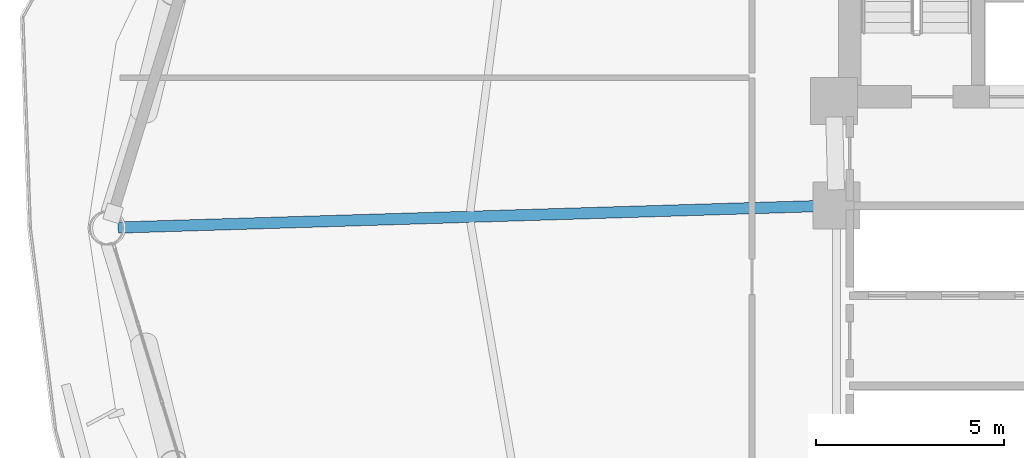
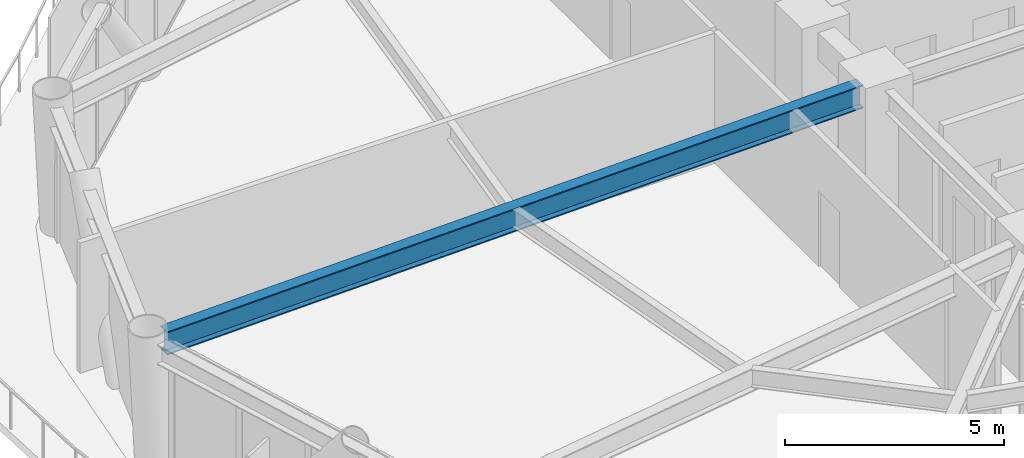
# One storey, part 10 of 23: 1 beam.
"""IFC4 building model written with IfcOpenShell, lengths in metres."""

import ifcopenshell
import ifcopenshell.guid

model = None  # the IFC model being written
_history = None  # IfcOwnerHistory: only IFC2X3 demands one
_inside = {}  # id of a spatial element -> (the spatial element, [elements in it])
_under = {}  # id of a project, library or spatial element -> (it, [spatial elements below it])
_declared = {}  # id of a project -> (the project, [libraries it declares])
_typed = {}  # id of a type object -> (the type object, [elements of that type])
_made_of = {}  # id of a material, layer set ... -> (it, [elements and type objects made of it])


def new_model(schema):
    """Start an empty IFC model of exactly this schema.

    Asked for "IFC4X3", IfcOpenShell would pick the latest addendum, in which some entities
    have other attributes; the version numbers below select the first issue.
    IFC2X3 requires an IfcOwnerHistory on every rooted entity: one is made here for all.
    """
    global model, _history
    if schema == "IFC4X3":
        model = ifcopenshell.file(schema_version=(4, 3, 0, 0))
    else:
        model = ifcopenshell.file(schema=schema)
    _inside.clear()
    _under.clear()
    _declared.clear()
    _typed.clear()
    _made_of.clear()
    _history = None
    if model.schema == "IFC2X3":
        org = make("IfcOrganization", Name="unknown")
        user = make(
            "IfcPersonAndOrganization",
            ThePerson=make("IfcPerson", FamilyName="unknown"),
            TheOrganization=org,
        )
        app = make(
            "IfcApplication",
            ApplicationDeveloper=org,
            Version="unknown",
            ApplicationFullName="unknown",
            ApplicationIdentifier="unknown",
        )
        _history = make(
            "IfcOwnerHistory",
            OwningUser=user,
            OwningApplication=app,
            ChangeAction="ADDED",
            CreationDate=0,
        )
    return model


def make(cls, **values):
    """One entity of the class cls with the attributes given. An attribute that is None is left unset."""
    return model.create_entity(
        cls, **{name: value for name, value in values.items() if value is not None}
    )


def rooted(cls, **values):
    """An entity with a GlobalId (a new one), such as an element, a storey or a relation."""
    return make(cls, GlobalId=ifcopenshell.guid.new(), OwnerHistory=_history, **values)


def si_unit(unit_type, name, prefix=None):
    """IfcSIUnit, for example si_unit("LENGTHUNIT", "METRE", prefix="MILLI")."""
    return make("IfcSIUnit", UnitType=unit_type, Prefix=prefix, Name=name)


def assignment(units):
    """IfcUnitAssignment: the units of a project."""
    return None if units is None else make("IfcUnitAssignment", Units=units)


def point(xyz):
    """IfcCartesianPoint."""
    return None if xyz is None else make("IfcCartesianPoint", Coordinates=xyz)


def direction(xyz):
    """IfcDirection."""
    return None if xyz is None else make("IfcDirection", DirectionRatios=xyz)


def frame(location, z_axis=None, x_axis=None):
    """IfcAxis2Placement3D, a coordinate frame: its origin and axes. An axis left out is left unset."""
    return make(
        "IfcAxis2Placement3D",
        Location=point(location),
        Axis=direction(z_axis),
        RefDirection=direction(x_axis),
    )


def frame_2d(location, x_axis=None):
    """IfcAxis2Placement2D, a coordinate frame in the plane: its origin and x axis."""
    return make(
        "IfcAxis2Placement2D", Location=point(location), RefDirection=direction(x_axis)
    )


def origin():
    """The frame at (0, 0, 0) with its axes left unset."""
    return frame((0.0, 0.0, 0.0))


def origin_2d():
    """The frame at (0, 0) in the plane with its x axis left unset."""
    return frame_2d((0.0, 0.0))


def place(relative_to, where):
    """IfcLocalPlacement: puts the frame where relative to a parent placement (None: the world)."""
    return make(
        "IfcLocalPlacement", PlacementRelTo=relative_to, RelativePlacement=where
    )


def context(
    kind, dimensions, precision=None, world=None, true_north=None, identifier=None
):
    """IfcGeometricRepresentationContext, for example the 3D "Model" context."""
    return make(
        "IfcGeometricRepresentationContext",
        ContextIdentifier=identifier,
        ContextType=kind,
        CoordinateSpaceDimension=dimensions,
        Precision=precision,
        WorldCoordinateSystem=world,
        TrueNorth=true_north,
    )


def subcontext(parent, identifier, kind, view, scale=None):
    """IfcGeometricRepresentationSubContext, for example "Body" below "Model"."""
    return make(
        "IfcGeometricRepresentationSubContext",
        ContextIdentifier=identifier,
        ContextType=kind,
        ParentContext=parent,
        TargetScale=scale,
        TargetView=view,
    )


def project(units=None, contexts=None):
    """IfcProject with its units and contexts."""
    return rooted(
        "IfcProject",
        Name="project",
        RepresentationContexts=contexts,
        UnitsInContext=assignment(units),
    )


def spatial(cls, under=None, at=None, **own):
    """A site, building, storey or space (cls), placed at a placement, below another one or the project."""
    s = rooted(cls, ObjectPlacement=at, **own)
    if under is not None:
        _under.setdefault(under.id(), (under, []))[1].append(s)
    return s


def profile(cls, at=None, kind="AREA", **sizes):
    """A parametric profile (cls). Its sizes go by their IFC names, for example OverallWidth=200.0."""
    return make(cls, ProfileType=kind, Position=at, **sizes)


def i_section(**sizes):
    """IfcIShapeProfileDef."""
    return profile("IfcIShapeProfileDef", **sizes)


def extrude(swept, where, along, depth):
    """IfcExtrudedAreaSolid: the profile swept, set in the frame where, extruded along a direction by depth."""
    return make(
        "IfcExtrudedAreaSolid",
        SweptArea=swept,
        Position=where,
        ExtrudedDirection=direction(along),
        Depth=depth,
    )


def shape(context_of_items, identifier, shape_type, items):
    """IfcShapeRepresentation: the items that make up one representation, for example the "Body"."""
    return make(
        "IfcShapeRepresentation",
        ContextOfItems=context_of_items,
        RepresentationIdentifier=identifier,
        RepresentationType=shape_type,
        Items=items,
    )


def material(Name=None, Category=None):
    """IfcMaterial."""
    return make("IfcMaterial", Name=Name, Category=Category)


def material_profile(
    of_material, cross_section, Name=None, Category=None, Priority=None
):
    """IfcMaterialProfile: a cross section and its material."""
    return make(
        "IfcMaterialProfile",
        Name=Name,
        Material=of_material,
        Profile=cross_section,
        Priority=Priority,
        Category=Category,
    )


def profile_set(profiles, Name=None, composite=None):
    """IfcMaterialProfileSet."""
    return make(
        "IfcMaterialProfileSet",
        Name=Name,
        MaterialProfiles=profiles,
        CompositeProfile=composite,
    )


def made_of(thing, what):
    """Note that an element or type object is made of a material, layer set ...; save() writes the relation."""
    if what is not None:
        _made_of.setdefault(what.id(), (what, []))[1].append(thing)
    return thing


def type_object(cls, material=None, **own):
    """A type object (cls), such as IfcWallType, which elements share."""
    return made_of(rooted(cls, **own), material)


def element(
    cls,
    number,
    at=None,
    inside=None,
    cuts=None,
    type_object=None,
    material=None,
    context=None,
    identifier="Body",
    shape_type=None,
    held_by="IfcProductDefinitionShape",
    body=None,
    shapes=None,
    **own,
):
    """One element of the class cls, such as IfcWall. Its Tag is "e" and its number.

    at: its placement. inside: the storey or other place that contains it. cuts: it is an
    opening in that element (IfcRelVoidsElement). A single representation is given by context,
    identifier, shape_type and body (its items); several are given by shapes. held_by: the class
    of the entity that holds the representations. save() writes the other relations.
    """
    e = rooted(cls, Tag="e%d" % number, ObjectPlacement=at, **own)
    if body is not None:
        shapes = [shape(context, identifier, shape_type, body)]
    if shapes is not None:
        e.Representation = make(held_by, Representations=shapes)
    if inside is not None:
        _inside.setdefault(inside.id(), (inside, []))[1].append(e)
    if cuts is not None:
        rooted(
            "IfcRelVoidsElement", RelatingBuildingElement=cuts, RelatedOpeningElement=e
        )
    if type_object is not None:
        _typed.setdefault(type_object.id(), (type_object, []))[1].append(e)
    return made_of(e, material)


def aggregate(whole, parts):
    """IfcRelAggregates: a whole, such as a stair, and the parts it consists of."""
    return rooted("IfcRelAggregates", RelatingObject=whole, RelatedObjects=parts)


def save(model, path):
    """Write the relations noted so far, then the file.

    IfcRelAggregates (storeys below a building ...), IfcRelContainedInSpatialStructure (elements
    in a storey), IfcRelDefinesByType, IfcRelAssociatesMaterial and IfcRelDeclares: one each for
    every whole, place, type object, material and project.
    """
    for whole, parts in _under.values():
        aggregate(whole, parts)
    for where, things in _inside.values():
        rooted(
            "IfcRelContainedInSpatialStructure",
            RelatedElements=things,
            RelatingStructure=where,
        )
    for kind, things in _typed.values():
        rooted("IfcRelDefinesByType", RelatedObjects=things, RelatingType=kind)
    for what, things in _made_of.values():
        rooted("IfcRelAssociatesMaterial", RelatedObjects=things, RelatingMaterial=what)
    for by, libraries in _declared.values():
        rooted("IfcRelDeclares", RelatingContext=by, RelatedDefinitions=libraries)
    model.write(path)


model = new_model("IFC4")

# Units and contexts
model_context = context("Model", 3, precision=1e-05, world=origin(), true_north=direction((0.0, 1.0)))
body_context = subcontext(model_context, "Body", "Model", "MODEL_VIEW")
ifc_project = project(units=[si_unit("LENGTHUNIT", "METRE"), si_unit("AREAUNIT", "SQUARE_METRE"), si_unit("VOLUMEUNIT", "CUBIC_METRE"), si_unit("PLANEANGLEUNIT", "RADIAN"), si_unit("MASSUNIT", "GRAM", prefix="KILO")], contexts=[model_context])

# Site, building, storey
site_placement = place(None, origin())
site = spatial("IfcSite", under=ifc_project, at=site_placement, CompositionType="ELEMENT")
building_placement = place(site_placement, origin())
building = spatial("IfcBuilding", under=site, at=building_placement, Name="Varnakorn Sky Granary", CompositionType="ELEMENT")
storey_placement = place(building_placement, frame((0.0, 0.0, 31.5)))
storey = spatial("IfcBuildingStorey", under=building, at=storey_placement, Name="L07", CompositionType="ELEMENT", Elevation=31.5)

# Beam
ifc_material = material(Name="Steel S355JR", Category="steel")
ifc_material_profile = material_profile(ifc_material, i_section(OverallWidth=0.300048828125, OverallDepth=0.64990234375, WebThickness=0.01611328125, FlangeThickness=0.031005859375, at=origin_2d()), Name="HE 650 B")
ifc_profile_set = profile_set([ifc_material_profile], Name="Steel S355JR")
beam_type = type_object("IfcBeamType", Name="BM-RAD-Z1", PredefinedType="BEAM", material=ifc_profile_set)
beam_placement = place(storey_placement, frame((-2.769775390625, 0.587158203125, 3.31494140625), z_axis=(-0.999530299878, -0.030646037689, 0.0), x_axis=(0.030646037689, -0.999530299878, 0.0)))
element("IfcBeam", 1, at=beam_placement, inside=storey, type_object=beam_type, Name="Radial Floor Girder RG07 L07", PredefinedType="BEAM", context=body_context, shape_type="SweptSolid", body=[
    extrude(i_section(OverallWidth=0.300048828125, OverallDepth=0.64990234375, WebThickness=0.01611328125, FlangeThickness=0.031005859375, at=origin_2d()), origin(), (0.0, 0.0, 1.0), 18.72119140625),
])

save(model, "model.ifc")
